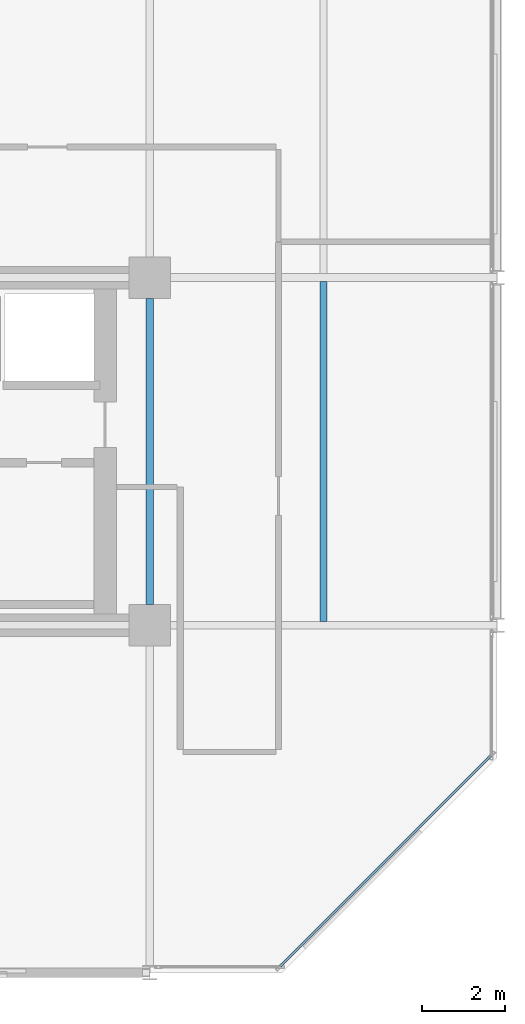
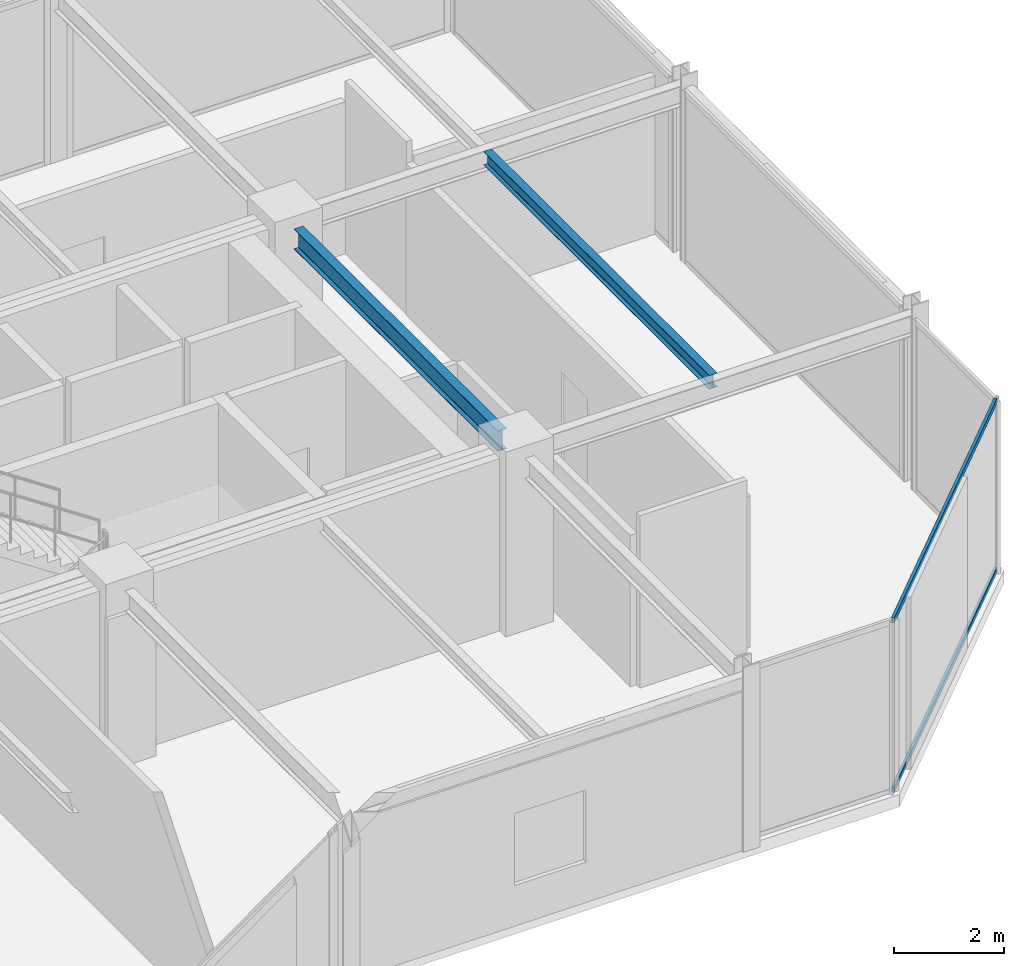
# One storey, part 12 of 29: 2 beams, 2 members, 1 element without a shape of its own.
"""IFC4 building model written with IfcOpenShell, lengths in metres."""

import ifcopenshell
import ifcopenshell.guid

model = None  # the IFC model being written
_history = None  # IfcOwnerHistory: only IFC2X3 demands one
_inside = {}  # id of a spatial element -> (the spatial element, [elements in it])
_under = {}  # id of a project, library or spatial element -> (it, [spatial elements below it])
_declared = {}  # id of a project -> (the project, [libraries it declares])
_typed = {}  # id of a type object -> (the type object, [elements of that type])
_made_of = {}  # id of a material, layer set ... -> (it, [elements and type objects made of it])


def new_model(schema):
    """Start an empty IFC model of exactly this schema.

    Asked for "IFC4X3", IfcOpenShell would pick the latest addendum, in which some entities
    have other attributes; the version numbers below select the first issue.
    IFC2X3 requires an IfcOwnerHistory on every rooted entity: one is made here for all.
    """
    global model, _history
    if schema == "IFC4X3":
        model = ifcopenshell.file(schema_version=(4, 3, 0, 0))
    else:
        model = ifcopenshell.file(schema=schema)
    _inside.clear()
    _under.clear()
    _declared.clear()
    _typed.clear()
    _made_of.clear()
    _history = None
    if model.schema == "IFC2X3":
        org = make("IfcOrganization", Name="unknown")
        user = make(
            "IfcPersonAndOrganization",
            ThePerson=make("IfcPerson", FamilyName="unknown"),
            TheOrganization=org,
        )
        app = make(
            "IfcApplication",
            ApplicationDeveloper=org,
            Version="unknown",
            ApplicationFullName="unknown",
            ApplicationIdentifier="unknown",
        )
        _history = make(
            "IfcOwnerHistory",
            OwningUser=user,
            OwningApplication=app,
            ChangeAction="ADDED",
            CreationDate=0,
        )
    return model


def make(cls, **values):
    """One entity of the class cls with the attributes given. An attribute that is None is left unset."""
    return model.create_entity(
        cls, **{name: value for name, value in values.items() if value is not None}
    )


def rooted(cls, **values):
    """An entity with a GlobalId (a new one), such as an element, a storey or a relation."""
    return make(cls, GlobalId=ifcopenshell.guid.new(), OwnerHistory=_history, **values)


def si_unit(unit_type, name, prefix=None):
    """IfcSIUnit, for example si_unit("LENGTHUNIT", "METRE", prefix="MILLI")."""
    return make("IfcSIUnit", UnitType=unit_type, Prefix=prefix, Name=name)


def assignment(units):
    """IfcUnitAssignment: the units of a project."""
    return None if units is None else make("IfcUnitAssignment", Units=units)


def point(xyz):
    """IfcCartesianPoint."""
    return None if xyz is None else make("IfcCartesianPoint", Coordinates=xyz)


def direction(xyz):
    """IfcDirection."""
    return None if xyz is None else make("IfcDirection", DirectionRatios=xyz)


def frame(location, z_axis=None, x_axis=None):
    """IfcAxis2Placement3D, a coordinate frame: its origin and axes. An axis left out is left unset."""
    return make(
        "IfcAxis2Placement3D",
        Location=point(location),
        Axis=direction(z_axis),
        RefDirection=direction(x_axis),
    )


def frame_2d(location, x_axis=None):
    """IfcAxis2Placement2D, a coordinate frame in the plane: its origin and x axis."""
    return make(
        "IfcAxis2Placement2D", Location=point(location), RefDirection=direction(x_axis)
    )


def origin():
    """The frame at (0, 0, 0) with its axes left unset."""
    return frame((0.0, 0.0, 0.0))


def origin_2d():
    """The frame at (0, 0) in the plane with its x axis left unset."""
    return frame_2d((0.0, 0.0))


def place(relative_to, where):
    """IfcLocalPlacement: puts the frame where relative to a parent placement (None: the world)."""
    return make(
        "IfcLocalPlacement", PlacementRelTo=relative_to, RelativePlacement=where
    )


def context(
    kind, dimensions, precision=None, world=None, true_north=None, identifier=None
):
    """IfcGeometricRepresentationContext, for example the 3D "Model" context."""
    return make(
        "IfcGeometricRepresentationContext",
        ContextIdentifier=identifier,
        ContextType=kind,
        CoordinateSpaceDimension=dimensions,
        Precision=precision,
        WorldCoordinateSystem=world,
        TrueNorth=true_north,
    )


def subcontext(parent, identifier, kind, view, scale=None):
    """IfcGeometricRepresentationSubContext, for example "Body" below "Model"."""
    return make(
        "IfcGeometricRepresentationSubContext",
        ContextIdentifier=identifier,
        ContextType=kind,
        ParentContext=parent,
        TargetScale=scale,
        TargetView=view,
    )


def project(units=None, contexts=None):
    """IfcProject with its units and contexts."""
    return rooted(
        "IfcProject",
        Name="project",
        RepresentationContexts=contexts,
        UnitsInContext=assignment(units),
    )


def spatial(cls, under=None, at=None, **own):
    """A site, building, storey or space (cls), placed at a placement, below another one or the project."""
    s = rooted(cls, ObjectPlacement=at, **own)
    if under is not None:
        _under.setdefault(under.id(), (under, []))[1].append(s)
    return s


def profile(cls, at=None, kind="AREA", **sizes):
    """A parametric profile (cls). Its sizes go by their IFC names, for example OverallWidth=200.0."""
    return make(cls, ProfileType=kind, Position=at, **sizes)


def hollow_rectangle(**sizes):
    """IfcRectangleHollowProfileDef."""
    return profile("IfcRectangleHollowProfileDef", **sizes)


def i_section(**sizes):
    """IfcIShapeProfileDef."""
    return profile("IfcIShapeProfileDef", **sizes)


def extrude(swept, where, along, depth):
    """IfcExtrudedAreaSolid: the profile swept, set in the frame where, extruded along a direction by depth."""
    return make(
        "IfcExtrudedAreaSolid",
        SweptArea=swept,
        Position=where,
        ExtrudedDirection=direction(along),
        Depth=depth,
    )


def shape(context_of_items, identifier, shape_type, items):
    """IfcShapeRepresentation: the items that make up one representation, for example the "Body"."""
    return make(
        "IfcShapeRepresentation",
        ContextOfItems=context_of_items,
        RepresentationIdentifier=identifier,
        RepresentationType=shape_type,
        Items=items,
    )


def material(Name=None, Category=None):
    """IfcMaterial."""
    return make("IfcMaterial", Name=Name, Category=Category)


def layer(
    of_material, thickness, ventilated=None, Name=None, Category=None, Priority=None
):
    """IfcMaterialLayer: one layer of a wall or slab, of a material (None: an air gap)."""
    return make(
        "IfcMaterialLayer",
        Material=of_material,
        LayerThickness=thickness,
        IsVentilated=ventilated,
        Name=Name,
        Category=Category,
        Priority=Priority,
    )


def layer_set(layers, Name=None):
    """IfcMaterialLayerSet."""
    return make("IfcMaterialLayerSet", MaterialLayers=layers, LayerSetName=Name)


def material_profile(
    of_material, cross_section, Name=None, Category=None, Priority=None
):
    """IfcMaterialProfile: a cross section and its material."""
    return make(
        "IfcMaterialProfile",
        Name=Name,
        Material=of_material,
        Profile=cross_section,
        Priority=Priority,
        Category=Category,
    )


def profile_set(profiles, Name=None, composite=None):
    """IfcMaterialProfileSet."""
    return make(
        "IfcMaterialProfileSet",
        Name=Name,
        MaterialProfiles=profiles,
        CompositeProfile=composite,
    )


def made_of(thing, what):
    """Note that an element or type object is made of a material, layer set ...; save() writes the relation."""
    if what is not None:
        _made_of.setdefault(what.id(), (what, []))[1].append(thing)
    return thing


def type_object(cls, material=None, **own):
    """A type object (cls), such as IfcWallType, which elements share."""
    return made_of(rooted(cls, **own), material)


def element(
    cls,
    number,
    at=None,
    inside=None,
    cuts=None,
    type_object=None,
    material=None,
    context=None,
    identifier="Body",
    shape_type=None,
    held_by="IfcProductDefinitionShape",
    body=None,
    shapes=None,
    **own,
):
    """One element of the class cls, such as IfcWall. Its Tag is "e" and its number.

    at: its placement. inside: the storey or other place that contains it. cuts: it is an
    opening in that element (IfcRelVoidsElement). A single representation is given by context,
    identifier, shape_type and body (its items); several are given by shapes. held_by: the class
    of the entity that holds the representations. save() writes the other relations.
    """
    e = rooted(cls, Tag="e%d" % number, ObjectPlacement=at, **own)
    if body is not None:
        shapes = [shape(context, identifier, shape_type, body)]
    if shapes is not None:
        e.Representation = make(held_by, Representations=shapes)
    if inside is not None:
        _inside.setdefault(inside.id(), (inside, []))[1].append(e)
    if cuts is not None:
        rooted(
            "IfcRelVoidsElement", RelatingBuildingElement=cuts, RelatedOpeningElement=e
        )
    if type_object is not None:
        _typed.setdefault(type_object.id(), (type_object, []))[1].append(e)
    return made_of(e, material)


def aggregate(whole, parts):
    """IfcRelAggregates: a whole, such as a stair, and the parts it consists of."""
    return rooted("IfcRelAggregates", RelatingObject=whole, RelatedObjects=parts)


def save(model, path):
    """Write the relations noted so far, then the file.

    IfcRelAggregates (storeys below a building ...), IfcRelContainedInSpatialStructure (elements
    in a storey), IfcRelDefinesByType, IfcRelAssociatesMaterial and IfcRelDeclares: one each for
    every whole, place, type object, material and project.
    """
    for whole, parts in _under.values():
        aggregate(whole, parts)
    for where, things in _inside.values():
        rooted(
            "IfcRelContainedInSpatialStructure",
            RelatedElements=things,
            RelatingStructure=where,
        )
    for kind, things in _typed.values():
        rooted("IfcRelDefinesByType", RelatedObjects=things, RelatingType=kind)
    for what, things in _made_of.values():
        rooted("IfcRelAssociatesMaterial", RelatedObjects=things, RelatingMaterial=what)
    for by, libraries in _declared.values():
        rooted("IfcRelDeclares", RelatingContext=by, RelatedDefinitions=libraries)
    model.write(path)


model = new_model("IFC4")

# Units and contexts
model_context = context("Model", 3, precision=1e-05, world=origin(), true_north=direction((0.0, 1.0)))
body_context = subcontext(model_context, "Body", "Model", "MODEL_VIEW")
ifc_project = project(units=[si_unit("LENGTHUNIT", "METRE"), si_unit("AREAUNIT", "SQUARE_METRE"), si_unit("VOLUMEUNIT", "CUBIC_METRE"), si_unit("PLANEANGLEUNIT", "RADIAN"), si_unit("MASSUNIT", "GRAM", prefix="KILO")], contexts=[model_context])

# Site, building, storey
site_placement = place(None, origin())
site = spatial("IfcSite", under=ifc_project, at=site_placement, CompositionType="ELEMENT")
building_placement = place(site_placement, origin())
building = spatial("IfcBuilding", under=site, at=building_placement, Name="Nerrivon Quay Data Exchange", CompositionType="ELEMENT")
storey_placement = place(building_placement, frame((0.0, 0.0, 200.10009765625)))
storey = spatial("IfcBuildingStorey", under=building, at=storey_placement, Name="L47", CompositionType="ELEMENT", Elevation=200.10009765625)

# Beams
ifc_material_1 = material(Name="Steel Grade 350", Category="steel")
ifc_material_profile_1 = material_profile(ifc_material_1, i_section(OverallWidth=0.18994140625, OverallDepth=0.4541015625, WebThickness=0.008544921875, FlangeThickness=0.0126953125, FilletRadius=0.011474609375, at=origin_2d()), Name="460UB67.1")
ifc_profile_set_1 = profile_set([ifc_material_profile_1], Name="Steel Grade 350")
beam_type_1 = type_object("IfcBeamType", Name="BM-G6-460UB67", PredefinedType="BEAM", material=ifc_profile_set_1)
beam_1_placement = place(storey_placement, frame((33.60009765625, 8.89990234375, 3.597900390625), z_axis=(0.0, 1.0, 0.0), x_axis=(-1.0, 0.0, 0.0)))
element("IfcBeam", 1, at=beam_1_placement, inside=storey, type_object=beam_type_1, Name="L47 NS Girder X=33.6 (8.4..16.8)", PredefinedType="BEAM", context=body_context, shape_type="SweptSolid", body=[
    extrude(i_section(OverallWidth=0.18994140625, OverallDepth=0.4541015625, WebThickness=0.008544921875, FlangeThickness=0.0126953125, FilletRadius=0.011474609375, at=origin_2d()), origin(), (0.0, 0.0, 1.0), 7.400146484375),
])
ifc_material_profile_2 = material_profile(ifc_material_1, i_section(OverallWidth=0.166015625, OverallDepth=0.306884765625, WebThickness=0.006591796875, FlangeThickness=0.01171875, FilletRadius=0.011474609375, at=origin_2d()), Name="310UB46.2")
ifc_profile_set_2 = profile_set([ifc_material_profile_2], Name="Steel Grade 350")
beam_type_2 = type_object("IfcBeamType", Name="BM-J5-310UB46", PredefinedType="JOIST", material=ifc_profile_set_2)
beam_2_placement = place(storey_placement, frame((37.800048828125, 8.49560546875, 3.67138671875), z_axis=(0.0, 1.0, 0.0), x_axis=(-1.0, 0.0, 0.0)))
element("IfcBeam", 2, at=beam_2_placement, inside=storey, type_object=beam_type_2, Name="L47 Secondary Joist X=37.8 (8.4..16.8)", PredefinedType="JOIST", context=body_context, shape_type="SweptSolid", body=[
    extrude(i_section(OverallWidth=0.166015625, OverallDepth=0.306884765625, WebThickness=0.006591796875, FlangeThickness=0.01171875, FilletRadius=0.011474609375, at=origin_2d()), origin(), (0.0, 0.0, 1.0), 8.208984375),
])

# Curtain wall, members
ifc_material_2 = material(Name="Anodised aluminium 6063-T6", Category="aluminium")
ifc_layer = layer(ifc_material_2, 0.195068359375)
ifc_layer_set = layer_set([ifc_layer], Name="Anodised aluminium 6063-T6")
curtain_wall_type = type_object("IfcCurtainWallType", Name="CW-SYS-06", PredefinedType="NOTDEFINED", material=ifc_layer_set)
curtain_wall_placement = place(storey_placement, origin())
curtain_wall = element("IfcCurtainWall", 3, at=curtain_wall_placement, inside=storey, type_object=curtain_wall_type, Name="L47 Unitised Curtain Wall 21", PredefinedType="NOTDEFINED")
ifc_material_profile_3 = material_profile(ifc_material_2, hollow_rectangle(XDim=0.06005859375, YDim=0.1201171875, WallThickness=0.003173828125, at=origin_2d()), Name="ALU-TRAN-120x60")
ifc_profile_set_3 = profile_set([ifc_material_profile_3], Name="Anodised aluminium 6063-T6")
member_type = type_object("IfcMemberType", Name="CWT-120x60", PredefinedType="USERDEFINED", material=ifc_profile_set_3)
member_1_placement = place(storey_placement, frame((41.847900390625, 5.245849609375, 0.032470703125), z_axis=(-0.707106781187, -0.707106781187, 0.0), x_axis=(0.707106781187, -0.707106781187, 0.0)))
member_1 = element("IfcMember", 4, at=member_1_placement, type_object=member_type, Name="CW06 transom 1.1", ObjectType="TRANSOM", PredefinedType="USERDEFINED", context=body_context, shape_type="SweptSolid", body=[
    extrude(hollow_rectangle(XDim=0.06005859375, YDim=0.1201171875, WallThickness=0.003173828125, at=origin_2d()), origin(), (0.0, 0.0, 1.0), 7.20361328125),
])
member_2_placement = place(storey_placement, frame((41.847900390625, 5.245849609375, 3.79248046875), z_axis=(-0.707106781187, -0.707106781187, 0.0), x_axis=(0.707106781187, -0.707106781187, 0.0)))
member_2 = element("IfcMember", 5, at=member_2_placement, type_object=member_type, Name="CW06 transom 1.2", ObjectType="TRANSOM", PredefinedType="USERDEFINED", context=body_context, shape_type="SweptSolid", body=[
    extrude(hollow_rectangle(XDim=0.06005859375, YDim=0.1201171875, WallThickness=0.003173828125, at=origin_2d()), origin(), (0.0, 0.0, 1.0), 7.20361328125),
])
aggregate(curtain_wall, [member_1, member_2])

save(model, "model.ifc")
